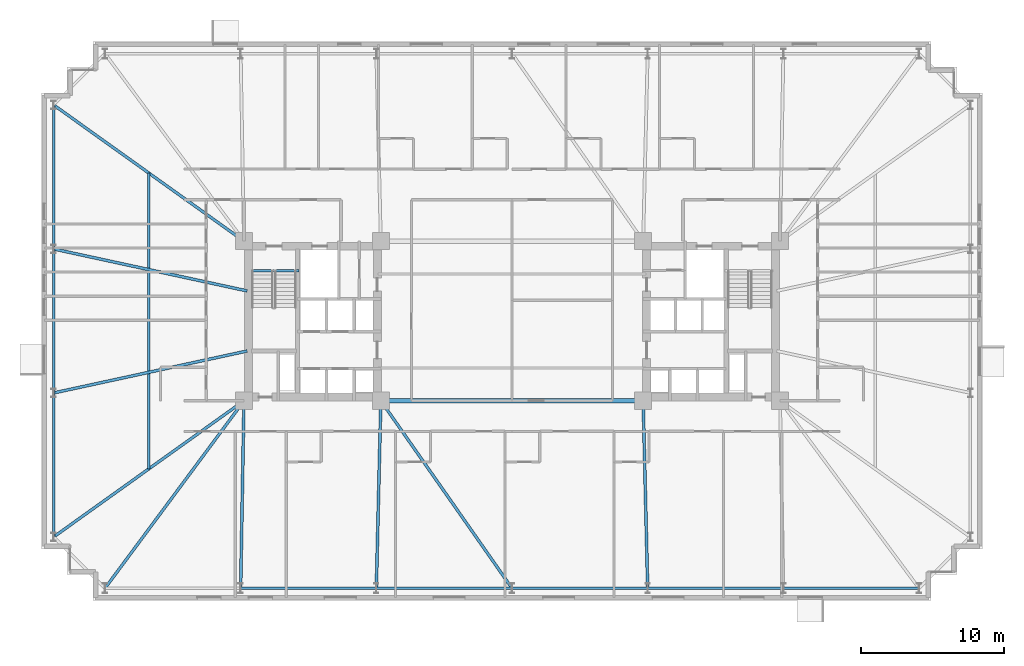
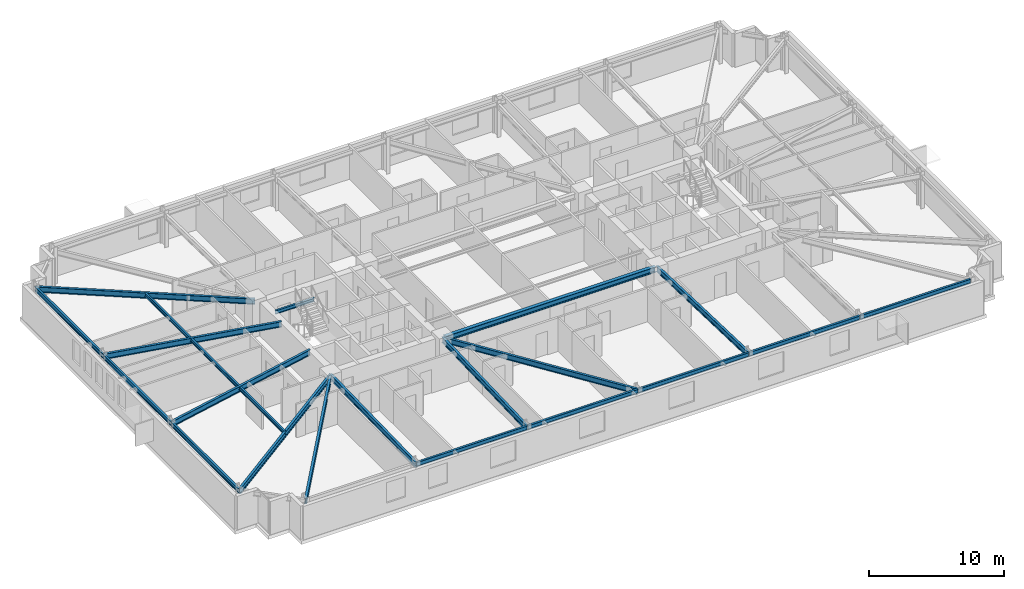
# One storey, part 5 of 21: 20 beams.
"""IFC4 building model written with IfcOpenShell, lengths in metres."""

from ifc_helpers import new_model, si_unit, direction, frame, origin, origin_2d, place, context, subcontext, project, spatial, i_section, extrude, material, material_profile, profile_set, type_object, element, save


model = new_model("IFC4")

# Units and contexts
model_context = context("Model", 3, precision=1e-05, world=origin(), true_north=direction((0.0, 1.0)))
body_context = subcontext(model_context, "Body", "Model", "MODEL_VIEW")
ifc_project = project(units=[si_unit("LENGTHUNIT", "METRE"), si_unit("AREAUNIT", "SQUARE_METRE"), si_unit("VOLUMEUNIT", "CUBIC_METRE"), si_unit("PLANEANGLEUNIT", "RADIAN"), si_unit("MASSUNIT", "GRAM", prefix="KILO")], contexts=[model_context])

# Site, building, storey
site_placement = place(None, origin())
site = spatial("IfcSite", under=ifc_project, at=site_placement, CompositionType="ELEMENT")
building_placement = place(site_placement, origin())
building = spatial("IfcBuilding", under=site, at=building_placement, Name="Qobustan Lattice House", CompositionType="ELEMENT")
storey_placement = place(building_placement, frame((0.0, 0.0, 30.35009765625)))
storey = spatial("IfcBuildingStorey", under=building, at=storey_placement, Name="L07", CompositionType="ELEMENT", Elevation=30.35009765625)

# Beams
ifc_material_1 = material(Name="Steel S355", Category="steel")
ifc_material_profile_1 = material_profile(ifc_material_1, i_section(OverallWidth=0.300048828125, OverallDepth=0.5, WebThickness=0.014404296875, FlangeThickness=0.028076171875, FilletRadius=0.027099609375, at=origin_2d()), Name="HEB500")
ifc_profile_set_1 = profile_set([ifc_material_profile_1], Name="Steel S355")
beam_type_1 = type_object("IfcBeamType", Name="BM-CG-HEB500", PredefinedType="USERDEFINED", material=ifc_profile_set_1)
beam_1_placement = place(storey_placement, frame((-9.050048828125, -5.60009765625, 2.784912109375), z_axis=(1.0, 0.0, 0.0), x_axis=(0.0, 1.0, 0.0)))
element("IfcBeam", 1, at=beam_1_placement, inside=storey, type_object=beam_type_1, Name="L07 core spine girder CG-CS", ObjectType="GIRDER", PredefinedType="USERDEFINED", context=body_context, shape_type="SweptSolid", body=[
    extrude(i_section(OverallWidth=0.300048828125, OverallDepth=0.5, WebThickness=0.014404296875, FlangeThickness=0.028076171875, FilletRadius=0.027099609375, at=origin_2d()), origin(), (0.0, 0.0, 1.0), 18.10009765625),
])
ifc_material_2 = material(Name="Steel S355", Category="steel")
ifc_material_profile_2 = material_profile(ifc_material_2, i_section(OverallWidth=0.199951171875, OverallDepth=0.5, WebThickness=0.01025390625, FlangeThickness=0.01611328125, FilletRadius=0.02099609375, at=origin_2d()), Name="IPE500")
ifc_profile_set_2 = profile_set([ifc_material_profile_2], Name="Steel S355")
beam_type_2 = type_object("IfcBeamType", Name="BM-FLG-IPE500", PredefinedType="USERDEFINED", material=ifc_profile_set_2)
beam_2_placement = place(storey_placement, frame((-28.53515625, -18.72998046875, 2.784912109375), z_axis=(0.5955916815, 0.803287338956, 0.0), x_axis=(-0.803287338956, 0.5955916815, 0.0)))
element("IfcBeam", 2, at=beam_2_placement, inside=storey, type_object=beam_type_2, Name="L07 primary floor girder RAD-S1W", ObjectType="GIRDER", PredefinedType="USERDEFINED", context=body_context, shape_type="SweptSolid", body=[
    extrude(i_section(OverallWidth=0.199951171875, OverallDepth=0.5, WebThickness=0.01025390625, FlangeThickness=0.01611328125, FilletRadius=0.02099609375, at=origin_2d()), origin(), (0.0, 0.0, 1.0), 16.3203125),
])
beam_3_placement = place(storey_placement, frame((-19.032958984375, -18.72509765625, 2.784912109375), z_axis=(0.017757831607, 0.999842317276, 0.0), x_axis=(-0.999842317276, 0.017757831607, 0.0)))
element("IfcBeam", 3, at=beam_3_placement, inside=storey, type_object=beam_type_2, Name="L07 primary floor girder RAD-S2", ObjectType="GIRDER", PredefinedType="USERDEFINED", context=body_context, shape_type="SweptSolid", body=[
    extrude(i_section(OverallWidth=0.199951171875, OverallDepth=0.5, WebThickness=0.01025390625, FlangeThickness=0.01611328125, FilletRadius=0.02099609375, at=origin_2d()), origin(), (0.0, 0.0, 1.0), 13.10205078125),
])
beam_4_placement = place(storey_placement, frame((-9.51611328125, -18.72509765625, 2.784912109375), z_axis=(0.024071445657, 0.999710240772, 0.0), x_axis=(-0.999710240772, 0.024071445657, 0.0)))
element("IfcBeam", 4, at=beam_4_placement, inside=storey, type_object=beam_type_2, Name="L07 primary floor girder RAD-S3", ObjectType="GIRDER", PredefinedType="USERDEFINED", context=body_context, shape_type="SweptSolid", body=[
    extrude(i_section(OverallWidth=0.199951171875, OverallDepth=0.5, WebThickness=0.01025390625, FlangeThickness=0.01611328125, FilletRadius=0.02099609375, at=origin_2d()), origin(), (0.0, 0.0, 1.0), 13.10400390625),
])
beam_5_placement = place(storey_placement, frame((-0.014404296875, -18.7294921875, 2.784912109375), z_axis=(-0.57325954206, 0.819373844736, 0.0), x_axis=(-0.819373844736, -0.57325954206, 0.0)))
element("IfcBeam", 5, at=beam_5_placement, inside=storey, type_object=beam_type_2, Name="L07 primary floor girder RAD-S4", ObjectType="GIRDER", PredefinedType="USERDEFINED", context=body_context, shape_type="SweptSolid", body=[
    extrude(i_section(OverallWidth=0.199951171875, OverallDepth=0.5, WebThickness=0.01025390625, FlangeThickness=0.01611328125, FilletRadius=0.02099609375, at=origin_2d()), origin(), (0.0, 0.0, 1.0), 15.998779296875),
])
beam_6_placement = place(storey_placement, frame((9.51611328125, -18.72509765625, 2.784912109375), z_axis=(-0.024071445657, 0.999710240772, 0.0), x_axis=(-0.999710240772, -0.024071445657, 0.0)))
element("IfcBeam", 6, at=beam_6_placement, inside=storey, type_object=beam_type_2, Name="L07 primary floor girder RAD-S5", ObjectType="GIRDER", PredefinedType="USERDEFINED", context=body_context, shape_type="SweptSolid", body=[
    extrude(i_section(OverallWidth=0.199951171875, OverallDepth=0.5, WebThickness=0.01025390625, FlangeThickness=0.01611328125, FilletRadius=0.02099609375, at=origin_2d()), origin(), (0.0, 0.0, 1.0), 13.10400390625),
])
beam_7_placement = place(storey_placement, frame((-32.129638671875, 15.135498046875, 2.784912109375), z_axis=(0.813318954893, -0.581818079481, 0.0), x_axis=(0.581818079481, 0.813318954893, 0.0)))
element("IfcBeam", 7, at=beam_7_placement, inside=storey, type_object=beam_type_2, Name="L07 primary floor girder RAD-W1", ObjectType="GIRDER", PredefinedType="USERDEFINED", context=body_context, shape_type="SweptSolid", body=[
    extrude(i_section(OverallWidth=0.199951171875, OverallDepth=0.5, WebThickness=0.01025390625, FlangeThickness=0.01611328125, FilletRadius=0.02099609375, at=origin_2d()), origin(), (0.0, 0.0, 1.0), 16.3642578125),
])
for number, where, z_axis, x_axis, name in (
    (8, (-32.12548828125, 5.044677734375, 2.784912109375), (0.97727240275, -0.211987383643, 0.0), (0.211987383643, 0.97727240275, 0.0), "L07 primary floor girder RAD-W2"),
    (9, (-32.12548828125, -5.044677734375, 2.784912109375), (0.97727240275, 0.211987383643, 0.0), (-0.211987383643, 0.97727240275, 0.0), "L07 primary floor girder RAD-W3"),
):
    element("IfcBeam", number, at=place(storey_placement, frame(where, z_axis=z_axis, x_axis=x_axis)), inside=storey, type_object=beam_type_2, Name=name, ObjectType="GIRDER", PredefinedType="USERDEFINED", context=body_context, shape_type="SweptSolid", body=[
        extrude(i_section(OverallWidth=0.199951171875, OverallDepth=0.5, WebThickness=0.01025390625, FlangeThickness=0.01611328125, FilletRadius=0.02099609375, at=origin_2d()), origin(), (0.0, 0.0, 1.0), 13.8662109375),
    ])
beam_8_placement = place(storey_placement, frame((-32.129638671875, -15.135498046875, 2.784912109375), z_axis=(0.813318954893, 0.581818079481, 0.0), x_axis=(-0.581818079481, 0.813318954893, 0.0)))
element("IfcBeam", 10, at=beam_8_placement, inside=storey, type_object=beam_type_2, Name="L07 primary floor girder RAD-W4", ObjectType="GIRDER", PredefinedType="USERDEFINED", context=body_context, shape_type="SweptSolid", body=[
    extrude(i_section(OverallWidth=0.199951171875, OverallDepth=0.5, WebThickness=0.01025390625, FlangeThickness=0.01611328125, FilletRadius=0.02099609375, at=origin_2d()), origin(), (0.0, 0.0, 1.0), 16.3642578125),
])
ifc_material_3 = material(Name="Steel S355", Category="steel")
ifc_material_profile_3 = material_profile(ifc_material_3, i_section(OverallWidth=0.159912109375, OverallDepth=0.330078125, WebThickness=0.007568359375, FlangeThickness=0.011474609375, FilletRadius=0.01806640625, at=origin_2d()), Name="IPE330")
ifc_profile_set_3 = profile_set([ifc_material_profile_3], Name="Steel S355")
beam_type_3 = type_object("IfcBeamType", Name="BM-SEC-IPE330", PredefinedType="BEAM", material=ifc_profile_set_3)
beam_9_placement = place(storey_placement, frame((-25.47509765625, 10.375, 2.869873046875), z_axis=(0.0, -1.0, 0.0), x_axis=(1.0, 0.0, 0.0)))
element("IfcBeam", 11, at=beam_9_placement, inside=storey, type_object=beam_type_3, Name="L07 west wing secondary beam", PredefinedType="BEAM", context=body_context, shape_type="SweptSolid", body=[
    extrude(i_section(OverallWidth=0.159912109375, OverallDepth=0.330078125, WebThickness=0.007568359375, FlangeThickness=0.011474609375, FilletRadius=0.01806640625, at=origin_2d()), origin(), (0.0, 0.0, 1.0), 20.75),
])
ifc_material_4 = material(Name="Steel S355", Category="steel")
ifc_material_profile_4 = material_profile(ifc_material_4, i_section(OverallWidth=0.159912109375, OverallDepth=0.330078125, WebThickness=0.007568359375, FlangeThickness=0.011474609375, FilletRadius=0.01806640625, at=origin_2d()), Name="IPE330")
ifc_profile_set_4 = profile_set([ifc_material_profile_4], Name="Steel S355")
beam_type_4 = type_object("IfcBeamType", Name="BM-SPD-IPE330", PredefinedType="SPANDREL", material=ifc_profile_set_4)
beam_10_placement = place(storey_placement, frame((-18.300048828125, 3.52001953125, 2.869873046875), z_axis=(1.0, 0.0, 0.0), x_axis=(0.0, 1.0, 0.0)))
element("IfcBeam", 12, at=beam_10_placement, inside=storey, type_object=beam_type_4, Name="L07 west stair landing trimmer beam", PredefinedType="SPANDREL", context=body_context, shape_type="SweptSolid", body=[
    extrude(i_section(OverallWidth=0.159912109375, OverallDepth=0.330078125, WebThickness=0.007568359375, FlangeThickness=0.011474609375, FilletRadius=0.01806640625, at=origin_2d()), origin(), (0.0, 0.0, 1.0), 3.35009765625),
])
ifc_material_5 = material(Name="Steel S355", Category="steel")
ifc_material_profile_5 = material_profile(ifc_material_5, i_section(OverallWidth=0.179931640625, OverallDepth=0.39990234375, WebThickness=0.008544921875, FlangeThickness=0.013427734375, FilletRadius=0.02099609375, at=origin_2d()), Name="IPE400")
ifc_profile_set_5 = profile_set([ifc_material_profile_5], Name="Steel S355")
beam_type_5 = type_object("IfcBeamType", Name="BM-SPD-IPE400", PredefinedType="SPANDREL", material=ifc_profile_set_5)
beam_11_placement = place(storey_placement, frame((-19.00830078125, -18.75, 2.8349609375), z_axis=(1.0, 0.0, 0.0), x_axis=(0.0, 1.0, 0.0)))
element("IfcBeam", 13, at=beam_11_placement, inside=storey, type_object=beam_type_5, Name="L07 perimeter spandrel S2-S3", PredefinedType="SPANDREL", context=body_context, shape_type="SweptSolid", body=[
    extrude(i_section(OverallWidth=0.179931640625, OverallDepth=0.39990234375, WebThickness=0.008544921875, FlangeThickness=0.013427734375, FilletRadius=0.02099609375, at=origin_2d()), origin(), (0.0, 0.0, 1.0), 9.466552734375),
])
for number, where, z_axis, x_axis, name in (
    (14, (-9.49169921875, -18.75, 2.8349609375), (1.0, 0.0, 0.0), (0.0, 1.0, 0.0), "L07 perimeter spandrel S3-S4"),
    (15, (0.02490234375, -18.75, 2.8349609375), (1.0, 0.0, 0.0), (0.0, 1.0, 0.0), "L07 perimeter spandrel S4-S5"),
):
    element("IfcBeam", number, at=place(storey_placement, frame(where, z_axis=z_axis, x_axis=x_axis)), inside=storey, type_object=beam_type_5, Name=name, PredefinedType="SPANDREL", context=body_context, shape_type="SweptSolid", body=[
        extrude(i_section(OverallWidth=0.179931640625, OverallDepth=0.39990234375, WebThickness=0.008544921875, FlangeThickness=0.013427734375, FilletRadius=0.02099609375, at=origin_2d()), origin(), (0.0, 0.0, 1.0), 9.466796875),
    ])
for number, where, z_axis, x_axis, name in (
    (16, (9.541748046875, -18.75, 2.8349609375), (1.0, 0.0, 0.0), (0.0, 1.0, 0.0), "L07 perimeter spandrel S5-S6"),
    (17, (19.058349609375, -18.75, 2.8349609375), (1.0, 0.0, 0.0), (0.0, 1.0, 0.0), "L07 perimeter spandrel S6-S7"),
):
    element("IfcBeam", number, at=place(storey_placement, frame(where, z_axis=z_axis, x_axis=x_axis)), inside=storey, type_object=beam_type_5, Name=name, PredefinedType="SPANDREL", context=body_context, shape_type="SweptSolid", body=[
        extrude(i_section(OverallWidth=0.179931640625, OverallDepth=0.39990234375, WebThickness=0.008544921875, FlangeThickness=0.013427734375, FilletRadius=0.02099609375, at=origin_2d()), origin(), (0.0, 0.0, 1.0), 9.466552734375),
    ])
beam_12_placement = place(storey_placement, frame((-32.14990234375, 15.125, 2.8349609375), z_axis=(0.0, -1.0, 0.0), x_axis=(1.0, 0.0, 0.0)))
element("IfcBeam", 18, at=beam_12_placement, inside=storey, type_object=beam_type_5, Name="L07 perimeter spandrel W1-W2", PredefinedType="SPANDREL", context=body_context, shape_type="SweptSolid", body=[
    extrude(i_section(OverallWidth=0.179931640625, OverallDepth=0.39990234375, WebThickness=0.008544921875, FlangeThickness=0.013427734375, FilletRadius=0.02099609375, at=origin_2d()), origin(), (0.0, 0.0, 1.0), 10.050048828125),
])
beam_13_placement = place(storey_placement, frame((-32.14990234375, 5.02490234375, 2.8349609375), z_axis=(0.0, -1.0, 0.0), x_axis=(1.0, 0.0, 0.0)))
element("IfcBeam", 19, at=beam_13_placement, inside=storey, type_object=beam_type_5, Name="L07 perimeter spandrel W2-W3", PredefinedType="SPANDREL", context=body_context, shape_type="SweptSolid", body=[
    extrude(i_section(OverallWidth=0.179931640625, OverallDepth=0.39990234375, WebThickness=0.008544921875, FlangeThickness=0.013427734375, FilletRadius=0.02099609375, at=origin_2d()), origin(), (0.0, 0.0, 1.0), 10.0498046875),
])
beam_14_placement = place(storey_placement, frame((-32.14990234375, -5.074951171875, 2.8349609375), z_axis=(0.0, -1.0, 0.0), x_axis=(1.0, 0.0, 0.0)))
element("IfcBeam", 20, at=beam_14_placement, inside=storey, type_object=beam_type_5, Name="L07 perimeter spandrel W3-W4", PredefinedType="SPANDREL", context=body_context, shape_type="SweptSolid", body=[
    extrude(i_section(OverallWidth=0.179931640625, OverallDepth=0.39990234375, WebThickness=0.008544921875, FlangeThickness=0.013427734375, FilletRadius=0.02099609375, at=origin_2d()), origin(), (0.0, 0.0, 1.0), 10.050048828125),
])

save(model, "model.ifc")
